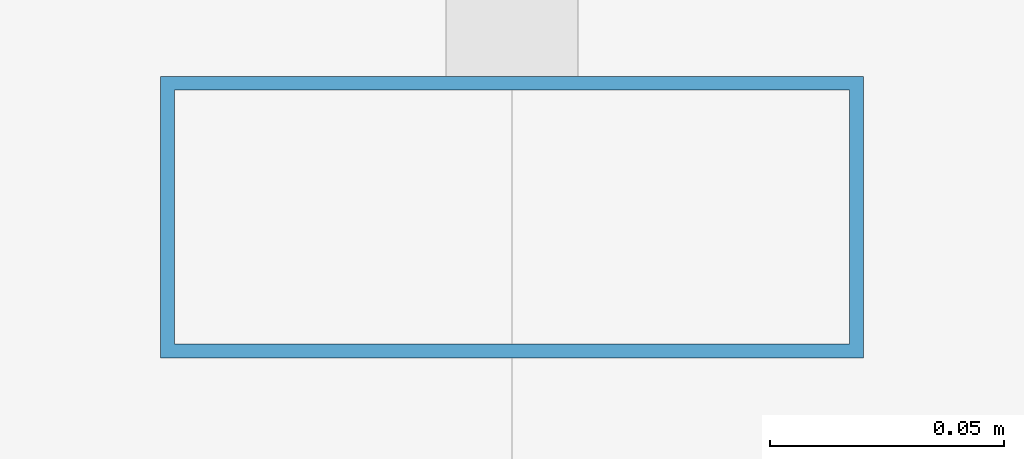
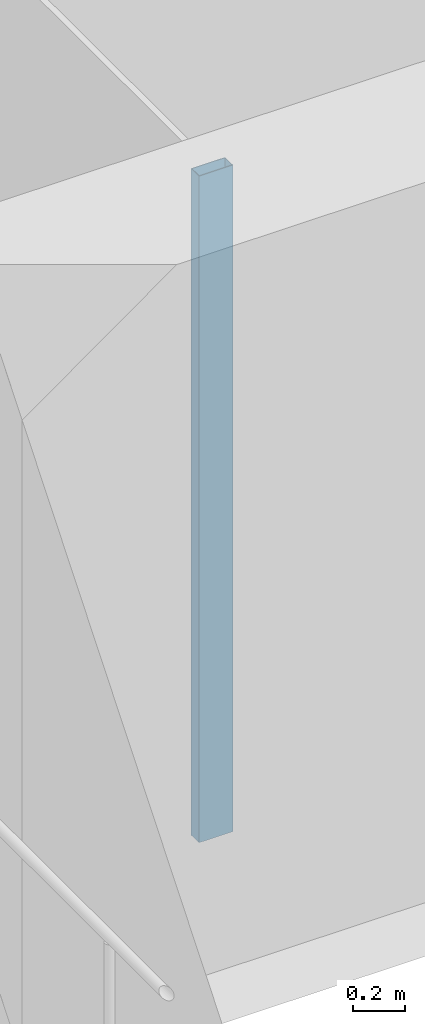
# One storey, part 11 of 52: 1 member, 1 element without a shape of its own.
"""IFC4 building model written with IfcOpenShell, lengths in metres."""

from ifc_helpers import new_model, si_unit, direction, frame, origin, origin_2d, place, context, subcontext, project, spatial, hollow_rectangle, extrude, material, material_profile, profile_set, type_object, element, aggregate, save


model = new_model("IFC4")

# Units and contexts
model_context = context("Model", 3, precision=1e-05, world=origin(), true_north=direction((0.0, 1.0)))
body_context = subcontext(model_context, "Body", "Model", "MODEL_VIEW")
ifc_project = project(units=[si_unit("LENGTHUNIT", "METRE"), si_unit("AREAUNIT", "SQUARE_METRE"), si_unit("VOLUMEUNIT", "CUBIC_METRE"), si_unit("PLANEANGLEUNIT", "RADIAN"), si_unit("MASSUNIT", "GRAM", prefix="KILO")], contexts=[model_context])

# Site, building, storey
site_placement = place(None, origin())
site = spatial("IfcSite", under=ifc_project, at=site_placement, CompositionType="ELEMENT")
building_placement = place(site_placement, origin())
building = spatial("IfcBuilding", under=site, at=building_placement, Name="Altepetl Exchange Towers", CompositionType="ELEMENT")
storey_placement = place(building_placement, frame((0.0, 0.0, 92.0)))
storey = spatial("IfcBuildingStorey", under=building, at=storey_placement, Name="L22", CompositionType="ELEMENT", Elevation=92.0)

# Curtain wall, member
ifc_material_1 = material(Name="Aluminium 6063-T6 glazing", Category="aluminium")
curtain_wall_type = type_object("IfcCurtainWallType", Name="Loggia glazing system", PredefinedType="NOTDEFINED", material=ifc_material_1)
curtain_wall_placement = place(storey_placement, origin())
curtain_wall = element("IfcCurtainWall", 1, at=curtain_wall_placement, inside=storey, type_object=curtain_wall_type, Name="CW1 run", PredefinedType="NOTDEFINED")
ifc_material_2 = material(Name="Aluminium 6063-T6", Category="aluminium")
ifc_material_profile = material_profile(ifc_material_2, hollow_rectangle(XDim=0.06005859375, YDim=0.14990234375, WallThickness=0.0029296875, at=origin_2d()), Name="Mullion 60x150 aluminium")
ifc_profile_set = profile_set([ifc_material_profile], Name="Aluminium 6063-T6")
member_type = type_object("IfcMemberType", Name="Mullion 60x150 aluminium", PredefinedType="MULLION", material=ifc_profile_set)
member_placement = place(storey_placement, frame((42.5, 58.60498046875, 0.0), z_axis=(0.0, 0.0, 1.0), x_axis=(0.0, -1.0, 0.0)))
member = element("IfcMember", 2, at=member_placement, type_object=member_type, Name="MU1 mullion", PredefinedType="MULLION", context=body_context, shape_type="SweptSolid", body=[
    extrude(hollow_rectangle(XDim=0.06005859375, YDim=0.14990234375, WallThickness=0.0029296875, at=origin_2d()), origin(), (0.0, 0.0, 1.0), 3.10009765625),
])
aggregate(curtain_wall, [member])

save(model, "model.ifc")
